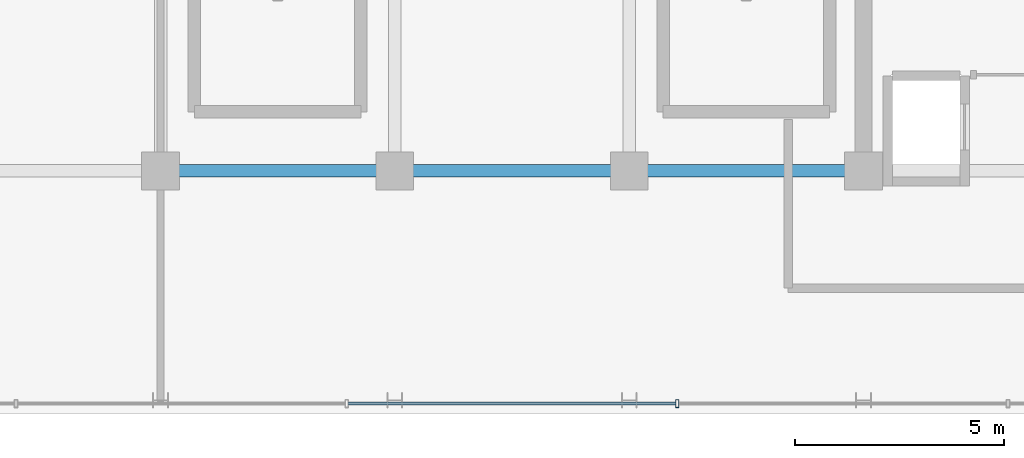
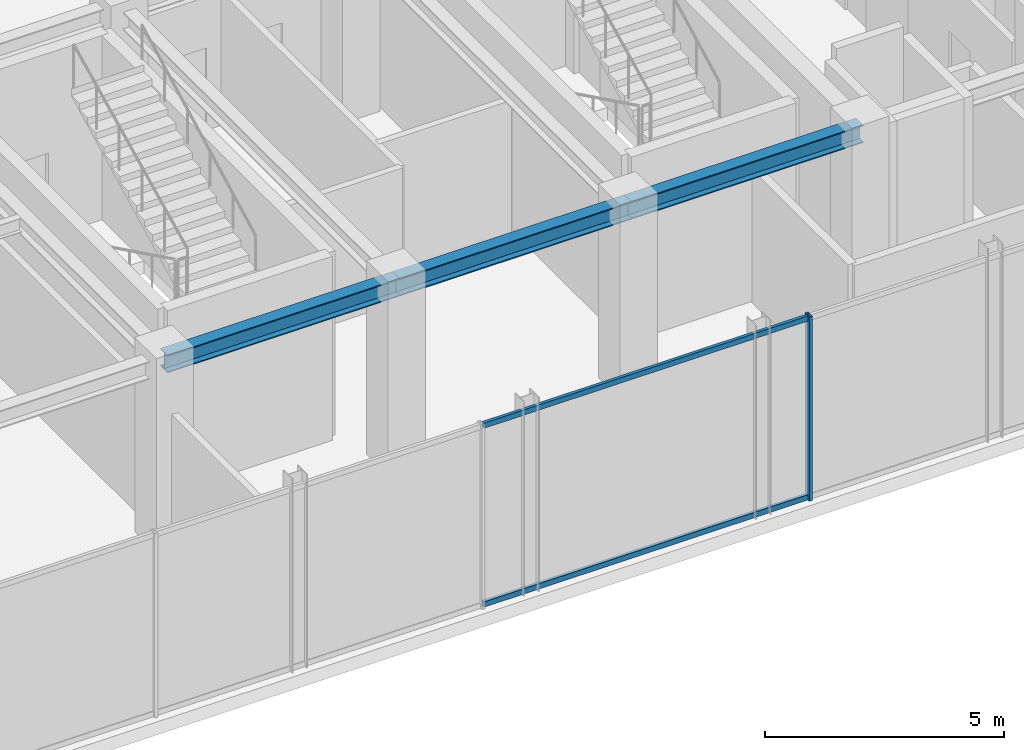
# One storey, part 7 of 28: 3 beams, 3 members, 1 element without a shape of its own.
"""IFC4 building model written with IfcOpenShell, lengths in metres."""

from ifc_helpers import new_model, si_unit, direction, frame, origin, origin_2d, place, context, subcontext, project, spatial, hollow_rectangle, i_section, extrude, source, transform, mapped, material, material_profile, profile_set, type_object, element, aggregate, save


model = new_model("IFC4")

# Units and contexts
model_context = context("Model", 3, precision=1e-05, world=origin(), true_north=direction((0.0, 1.0)))
body_context = subcontext(model_context, "Body", "Model", "MODEL_VIEW")
ifc_project = project(units=[si_unit("LENGTHUNIT", "METRE"), si_unit("AREAUNIT", "SQUARE_METRE"), si_unit("VOLUMEUNIT", "CUBIC_METRE"), si_unit("PLANEANGLEUNIT", "RADIAN"), si_unit("MASSUNIT", "GRAM", prefix="KILO")], contexts=[model_context])

# Site, building, storey
site_placement = place(None, origin())
site = spatial("IfcSite", under=ifc_project, at=site_placement, CompositionType="ELEMENT")
building_placement = place(site_placement, origin())
building = spatial("IfcBuilding", under=site, at=building_placement, Name="Nahalor Promenade Grand Hotel", CompositionType="ELEMENT")
storey_placement = place(building_placement, frame((0.0, 0.0, 352.050048828125)))
storey = spatial("IfcBuildingStorey", under=building, at=storey_placement, Name="L90", CompositionType="ELEMENT", Elevation=352.050048828125)

# Beams
ifc_material_1 = material(Name="Steel S355JR", Category="steel")
ifc_material_profile_1 = material_profile(ifc_material_1, i_section(OverallWidth=0.3, OverallDepth=0.45, WebThickness=0.014, FlangeThickness=0.026, at=origin_2d()), Name="HEB 450")
ifc_profile_set_1 = profile_set([ifc_material_profile_1], Name="Steel S355JR")
beam_type = type_object("IfcBeamType", Name="Beam-Girder-HEB450", PredefinedType="BEAM", material=ifc_profile_set_1)
shared_shape_1 = source(origin(), body_context, "Body", "SweptSolid", [
    extrude(i_section(OverallWidth=0.3, OverallDepth=0.45, WebThickness=0.014, FlangeThickness=0.026, at=origin_2d()), origin(), (0.0, 0.0, 1.0), 5.599853515625),
])
for number, where, z_axis, x_axis, name in (
    (1, (-8.39990234375, -17.0, 4.474853515625), (1.0, 0.0, 0.0), (0.0, 1.0, 0.0), "BM-L90-GX-0-1"),
    (2, (2.800048828125, -17.0, 4.474853515625), (1.0, 0.0, 0.0), (0.0, 1.0, 0.0), "BM-L90-GX-0-3"),
):
    element("IfcBeam", number, at=place(storey_placement, frame(where, z_axis=z_axis, x_axis=x_axis)), inside=storey, type_object=beam_type, Name=name, PredefinedType="BEAM", context=body_context, shape_type="MappedRepresentation", body=[
        mapped(shared_shape_1, transform((0.0, 0.0, 0.0), scale=1.0)),
    ])
shared_shape_2 = source(origin(), body_context, "Body", "SweptSolid", [
    extrude(i_section(OverallWidth=0.3, OverallDepth=0.45, WebThickness=0.014, FlangeThickness=0.026, at=origin_2d()), origin(), (0.0, 0.0, 1.0), 5.60009765625),
])
beam_placement = place(storey_placement, frame((-2.800048828125, -17.0, 4.474853515625), z_axis=(1.0, 0.0, 0.0), x_axis=(0.0, 1.0, 0.0)))
element("IfcBeam", 3, at=beam_placement, inside=storey, type_object=beam_type, Name="BM-L90-GX-0-2", PredefinedType="BEAM", context=body_context, shape_type="MappedRepresentation", body=[
    mapped(shared_shape_2, transform((0.0, 0.0, 0.0), scale=1.0)),
])

# Curtain wall, members
ifc_material_2 = material(Name="Anodised Bronze Aluminium EN AW-6063 T6", Category="aluminium")
curtain_wall_type = type_object("IfcCurtainWallType", Name="CW6 Crown Botanical Conservatory Curtain Wall", PredefinedType="USERDEFINED", material=ifc_material_2)
curtain_wall_placement = place(storey_placement, origin())
curtain_wall = element("IfcCurtainWall", 4, at=curtain_wall_placement, inside=storey, type_object=curtain_wall_type, Name="L90 Curtain Wall CW-L90-S-1", ObjectType="UNITISED_CURTAIN_WALL", PredefinedType="USERDEFINED")
ifc_material_profile_2 = material_profile(ifc_material_2, hollow_rectangle(XDim=0.075, YDim=0.19, WallThickness=0.005, at=origin_2d()), Name="CWM 75x190x5")
ifc_profile_set_2 = profile_set([ifc_material_profile_2], Name="Anodised Bronze Aluminium EN AW-6063 T6")
member_type_1 = type_object("IfcMemberType", Name="CWM6 Conservatory Bronze Mullion 75x190", PredefinedType="MULLION", material=ifc_profile_set_2)
shared_shape_3 = source(origin(), body_context, "Body", "SweptSolid", [
    extrude(hollow_rectangle(XDim=0.075, YDim=0.19, WallThickness=0.005, at=origin_2d()), origin(), (0.0, 0.0, 1.0), 4.699951171875),
])
member_1_placement = place(storey_placement, frame((3.951904296875, -22.56005859375, 0.0), z_axis=(0.0, 0.0, 1.0), x_axis=(1.0, 0.0, 0.0)))
member_1 = element("IfcMember", 5, at=member_1_placement, type_object=member_type_1, Name="CW-L90-S-1 Mullion 3", PredefinedType="MULLION", context=body_context, shape_type="MappedRepresentation", body=[
    mapped(shared_shape_3, transform((0.0, 0.0, 0.0), scale=1.0)),
])
ifc_material_profile_3 = material_profile(ifc_material_2, hollow_rectangle(XDim=0.075, YDim=0.135, WallThickness=0.004, at=origin_2d()), Name="CWT 75x135x4")
ifc_profile_set_3 = profile_set([ifc_material_profile_3], Name="Anodised Bronze Aluminium EN AW-6063 T6")
member_type_2 = type_object("IfcMemberType", Name="CWT6 Conservatory Transom 75x135", PredefinedType="USERDEFINED", material=ifc_profile_set_3)
shared_shape_4 = source(origin(), body_context, "Body", "SweptSolid", [
    extrude(hollow_rectangle(XDim=0.075, YDim=0.135, WallThickness=0.004, at=origin_2d()), origin(), (0.0, 0.0, 1.0), 7.8291015625),
])
member_2_placement = place(storey_placement, frame((-3.91455078125, -22.56005859375, 0.0673828125), z_axis=(1.0, 0.0, 0.0), x_axis=(0.0, 1.0, 0.0)))
member_2 = element("IfcMember", 6, at=member_2_placement, type_object=member_type_2, Name="CW-L90-S-1 Transom 2-0", ObjectType="TRANSOM", PredefinedType="USERDEFINED", context=body_context, shape_type="MappedRepresentation", body=[
    mapped(shared_shape_4, transform((0.0, 0.0, 0.0), scale=1.0)),
])
member_3_placement = place(storey_placement, frame((-3.91455078125, -22.56005859375, 4.632568359375), z_axis=(1.0, 0.0, 0.0), x_axis=(0.0, 1.0, 0.0)))
member_3 = element("IfcMember", 7, at=member_3_placement, type_object=member_type_2, Name="CW-L90-S-1 Transom 2-1", ObjectType="TRANSOM", PredefinedType="USERDEFINED", context=body_context, shape_type="MappedRepresentation", body=[
    mapped(shared_shape_4, transform((0.0, 0.0, 0.0), scale=1.0)),
])
aggregate(curtain_wall, [member_1, member_2, member_3])

save(model, "model.ifc")
